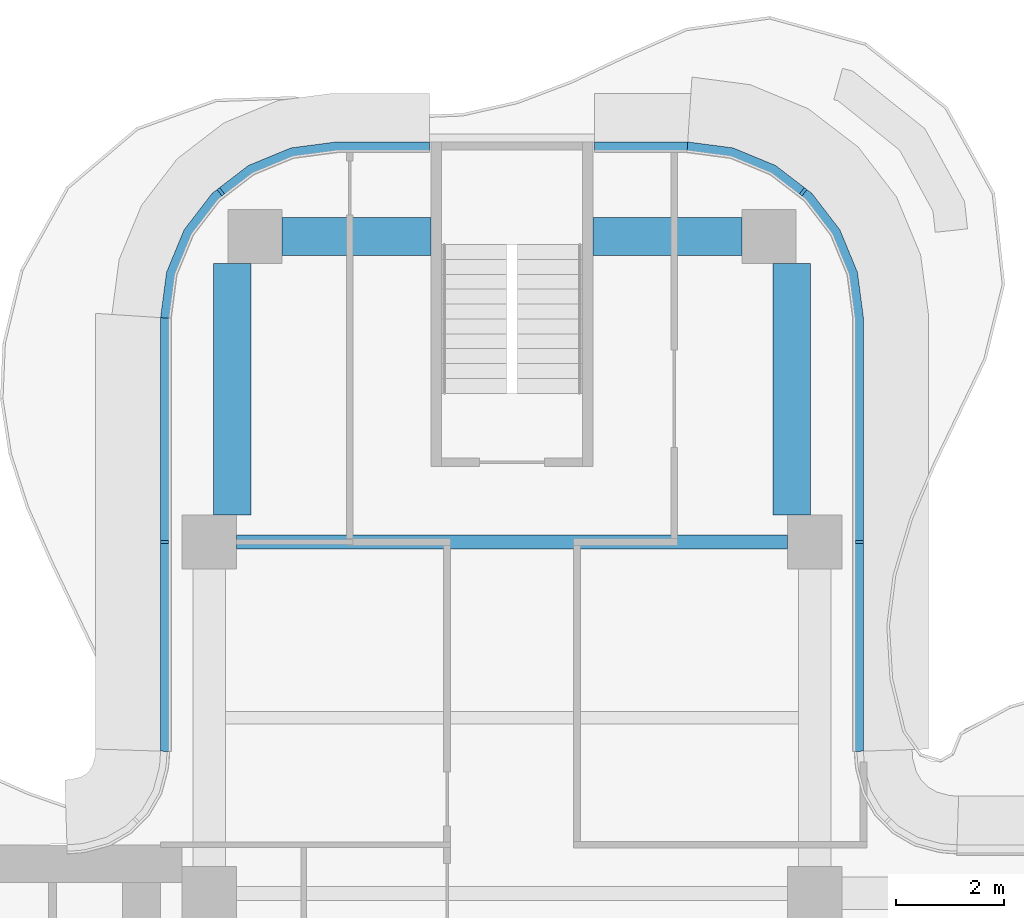
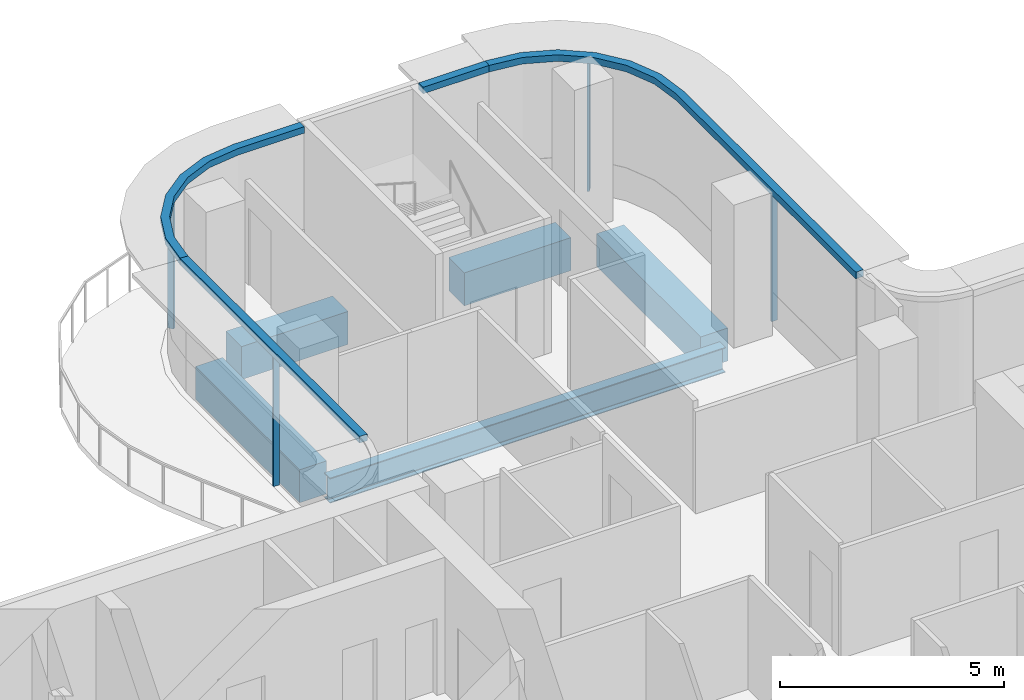
# One storey, part 7 of 16: 8 members, 5 beams, 4 elements without a shape of their own.
"""IFC4 building model written with IfcOpenShell, lengths in metres."""

from ifc_helpers import new_model, si_unit, direction, frame, origin, origin_2d, place, context, subcontext, project, spatial, polyline, rectangle, i_section, outline, extrude, source, transform, mapped, material, layer, layer_set, material_profile, profile_set, type_object, element, aggregate, save


model = new_model("IFC4")

# Units and contexts
model_context = context("Model", 3, precision=1e-05, world=origin(), true_north=direction((0.0, 1.0)))
body_context = subcontext(model_context, "Body", "Model", "MODEL_VIEW")
ifc_project = project(units=[si_unit("LENGTHUNIT", "METRE"), si_unit("AREAUNIT", "SQUARE_METRE"), si_unit("VOLUMEUNIT", "CUBIC_METRE"), si_unit("PLANEANGLEUNIT", "RADIAN"), si_unit("MASSUNIT", "GRAM", prefix="KILO")], contexts=[model_context])

# Site, building, storey
site_placement = place(None, origin())
site = spatial("IfcSite", under=ifc_project, at=site_placement, CompositionType="ELEMENT")
building_placement = place(site_placement, origin())
building = spatial("IfcBuilding", under=site, at=building_placement, Name="Trellis Farm Tower", CompositionType="ELEMENT")
storey_placement = place(building_placement, frame((0.0, 0.0, 310.60009765625)))
storey = spatial("IfcBuildingStorey", under=building, at=storey_placement, Name="L70", CompositionType="ELEMENT", Elevation=310.60009765625)

# Beams
ifc_material_1 = material(Name="Steel S355", Category="steel")
ifc_material_profile_1 = material_profile(ifc_material_1, i_section(OverallWidth=0.253662109375, OverallDepth=0.68359375, WebThickness=0.012451171875, FlangeThickness=0.021728515625, FilletRadius=0.01513671875, at=origin_2d()), Name="UB 686x254x140")
ifc_profile_set_1 = profile_set([ifc_material_profile_1], Name="Steel S355")
beam_type_1 = type_object("IfcBeamType", Name="UB 686x254x140", PredefinedType="BEAM", material=ifc_profile_set_1)
shared_shape_1 = source(origin(), body_context, "Body", "SweptSolid", [
    extrude(i_section(OverallWidth=0.253662109375, OverallDepth=0.68359375, WebThickness=0.012451171875, FlangeThickness=0.021728515625, FilletRadius=0.01513671875, at=origin_2d()), origin(), (0.0, 0.0, 1.0), 10.2001953125),
])
beam_placement = place(storey_placement, frame((-5.10009765625, 12.10009765625, -0.541748046875), z_axis=(1.0, 0.0, 0.0), x_axis=(0.0, 1.0, 0.0)))
element("IfcBeam", 1, at=beam_placement, inside=storey, type_object=beam_type_1, Name="Girder", PredefinedType="BEAM", context=body_context, shape_type="MappedRepresentation", body=[
    mapped(shared_shape_1, transform((0.0, 0.0, 0.0))),
])
ifc_material_2 = material(Name="Concrete C60/75", Category="concrete")
ifc_material_profile_2 = material_profile(ifc_material_2, rectangle(XDim=0.699951171875, YDim=0.89990234375, at=origin_2d()), Name="RC spandrel beam 700x900 C60/75")
ifc_profile_set_2 = profile_set([ifc_material_profile_2], Name="Concrete C60/75")
beam_type_2 = type_object("IfcBeamType", Name="RC spandrel beam 700x900 C60/75", PredefinedType="SPANDREL", material=ifc_profile_set_2)
shared_shape_2 = source(origin(), body_context, "Body", "SweptSolid", [
    extrude(rectangle(XDim=0.699951171875, YDim=0.89990234375, at=origin_2d()), origin(), (0.0, 0.0, 1.0), 4.64990234375),
])
for number, where, z_axis, x_axis, name in (
    (2, (-5.175048828125, 12.60009765625, -0.650146484375), (0.0, 1.0, 0.0), (-1.0, 0.0, 0.0), "Girder"),
    (3, (5.175048828125, 12.60009765625, -0.650146484375), (0.0, 1.0, 0.0), (-1.0, 0.0, 0.0), "Girder"),
):
    element("IfcBeam", number, at=place(storey_placement, frame(where, z_axis=z_axis, x_axis=x_axis)), inside=storey, type_object=beam_type_2, Name=name, PredefinedType="SPANDREL", context=body_context, shape_type="MappedRepresentation", body=[
        mapped(shared_shape_2, transform((0.0, 0.0, 0.0))),
    ])
shared_shape_3 = source(origin(), body_context, "Body", "SweptSolid", [
    extrude(rectangle(XDim=0.699951171875, YDim=0.89990234375, at=origin_2d()), origin(), (0.0, 0.0, 1.0), 2.75),
])
for number, where, z_axis, x_axis, name in (
    (4, (-4.25, 17.75, -0.650146484375), (1.0, 0.0, 0.0), (0.0, 1.0, 0.0), "Girder"),
    (5, (1.5, 17.75, -0.650146484375), (1.0, 0.0, 0.0), (0.0, 1.0, 0.0), "Girder"),
):
    element("IfcBeam", number, at=place(storey_placement, frame(where, z_axis=z_axis, x_axis=x_axis)), inside=storey, type_object=beam_type_2, Name=name, PredefinedType="SPANDREL", context=body_context, shape_type="MappedRepresentation", body=[
        mapped(shared_shape_3, transform((0.0, 0.0, 0.0))),
    ])

# Curtain wall, members
ifc_material_3 = material(Name="Aluminium and glass curtain wall", Category="aluminium")
ifc_layer_1 = layer(ifc_material_3, 0.18994140625)
ifc_layer_set_1 = layer_set([ifc_layer_1], Name="RIBBON CURTAIN WALL CW1")
curtain_wall_type = type_object("IfcCurtainWallType", Name="RIBBON CURTAIN WALL CW1", PredefinedType="NOTDEFINED", material=ifc_layer_set_1)
placement_1 = place(storey_placement, origin())
curtain_wall_1 = element("IfcCurtainWall", 6, at=placement_1, inside=storey, type_object=curtain_wall_type, Name="CW1 009", PredefinedType="NOTDEFINED")
ifc_material_4 = material(Name="Aluminium extrusion 6063-T6", Category="aluminium")
ifc_material_profile_3 = material_profile(ifc_material_4, rectangle(XDim=0.06005859375, YDim=0.14990234375, at=origin_2d()), Name="MULLION 60x150")
ifc_profile_set_3 = profile_set([ifc_material_profile_3], Name="Aluminium extrusion 6063-T6")
member_type_1 = type_object("IfcMemberType", Name="CW1 MULLION 60x150", PredefinedType="MULLION", material=ifc_profile_set_3)
shared_shape_4 = source(origin(), body_context, "Body", "SweptSolid", [
    extrude(rectangle(XDim=0.06005859375, YDim=0.14990234375, at=origin_2d()), origin(), (0.0, 0.0, 1.0), 3.52001953125),
])
member_1_placement = place(storey_placement, frame((6.425048828125, 12.10009765625, 0.0), z_axis=(0.0, 0.0, 1.0), x_axis=(0.0, 1.0, 0.0)))
member_1 = element("IfcMember", 7, at=member_1_placement, type_object=member_type_1, Name="MU1 009-01", PredefinedType="MULLION", context=body_context, shape_type="MappedRepresentation", body=[
    mapped(shared_shape_4, transform((0.0, 0.0, 0.0))),
])
member_2_placement = place(storey_placement, frame((5.385498046875, 18.578369140625, 0.0), z_axis=(0.0, 0.0, 1.0), x_axis=(-0.793353340291, 0.608761429009, 0.0)))
member_2 = element("IfcMember", 8, at=member_2_placement, type_object=member_type_1, Name="MU1 009-02", PredefinedType="MULLION", context=body_context, shape_type="MappedRepresentation", body=[
    mapped(shared_shape_4, transform((0.0, 0.0, 0.0))),
])

# Curtain wall, member
curtain_wall_2 = element("IfcCurtainWall", 9, at=placement_1, inside=storey, type_object=curtain_wall_type, Name="CW1 011", PredefinedType="NOTDEFINED")
member_3_placement = place(storey_placement, frame((-5.385498046875, 18.578369140625, 0.0), z_axis=(0.0, 0.0, 1.0), x_axis=(-0.793353340291, -0.608761429009, 0.0)))
member_3 = element("IfcMember", 10, at=member_3_placement, type_object=member_type_1, Name="MU1 011-01", PredefinedType="MULLION", context=body_context, shape_type="MappedRepresentation", body=[
    mapped(shared_shape_4, transform((0.0, 0.0, 0.0))),
])

curtain_wall_3 = element("IfcCurtainWall", 11, at=placement_1, inside=storey, type_object=curtain_wall_type, Name="CW1 012", PredefinedType="NOTDEFINED")
member_4_placement = place(storey_placement, frame((-6.425048828125, 12.10009765625, 0.0), z_axis=(0.0, 0.0, 1.0), x_axis=(0.0, -1.0, 0.0)))
member_4 = element("IfcMember", 12, at=member_4_placement, type_object=member_type_1, Name="MU1 012-01", PredefinedType="MULLION", context=body_context, shape_type="MappedRepresentation", body=[
    mapped(shared_shape_4, transform((0.0, 0.0, 0.0))),
])

# Member
ifc_layer_2 = layer(ifc_material_4, 0.199951171875)
ifc_layer_set_2 = layer_set([ifc_layer_2], Name="Aluminium extrusion 6063-T6")
member_type_2 = type_object("IfcMemberType", Name="CW1 TRANSOM 200x180", PredefinedType="USERDEFINED", material=ifc_layer_set_2)
shared_shape_5 = source(origin(), body_context, "Body", "SweptSolid", [
    extrude(outline(polyline([(6.5, 8.2314453125), (6.5, 16.25), (6.38916015625, 17.091064453125), (6.064697265625, 17.875), (5.548095703125, 18.548095703125), (4.875, 19.064697265625), (4.091064453125, 19.38916015625), (3.25, 19.5), (3.23681640625, 19.300048828125), (4.0390625, 19.1943359375), (4.774169921875, 18.889892578125), (5.405517578125, 18.405517578125), (5.889892578125, 17.774169921875), (6.1943359375, 17.0390625), (6.300048828125, 16.23681640625), (6.300048828125, 8.224853515625), (6.5, 8.2314453125)])), origin(), (0.0, 0.0, 1.0), 0.179931640625),
])
placement_2 = place(storey_placement, frame((0.0, 0.0, 3.52001953125)))
member_5 = element("IfcMember", 13, at=placement_2, type_object=member_type_2, Name="TR1 009", ObjectType="TRANSOM", PredefinedType="USERDEFINED", context=body_context, shape_type="MappedRepresentation", body=[
    mapped(shared_shape_5, transform((0.0, 0.0, 0.0))),
])

aggregate(curtain_wall_1, [member_1, member_2, member_5])

# Curtain wall, member
curtain_wall_4 = element("IfcCurtainWall", 14, at=placement_1, inside=storey, type_object=curtain_wall_type, Name="CW1 010", PredefinedType="NOTDEFINED")
shared_shape_6 = source(origin(), body_context, "Body", "SweptSolid", [
    extrude(outline(polyline([(3.25, 19.5), (1.530029296875, 19.5), (1.530029296875, 19.300048828125), (3.23681640625, 19.300048828125), (3.25, 19.5)])), origin(), (0.0, 0.0, 1.0), 0.179931640625),
])
member_6 = element("IfcMember", 15, at=placement_2, type_object=member_type_2, Name="TR1 010", ObjectType="TRANSOM", PredefinedType="USERDEFINED", context=body_context, shape_type="MappedRepresentation", body=[
    mapped(shared_shape_6, transform((0.0, 0.0, 0.0))),
])
aggregate(curtain_wall_4, [member_6])

# Member
shared_shape_7 = source(origin(), body_context, "Body", "SweptSolid", [
    extrude(outline(polyline([(-6.5, 16.25), (-6.5, 8.2314453125), (-6.300048828125, 8.224853515625), (-6.300048828125, 16.23681640625), (-6.5, 16.25)])), origin(), (0.0, 0.0, 1.0), 0.179931640625),
])
member_7 = element("IfcMember", 16, at=placement_2, type_object=member_type_2, Name="TR1 012", ObjectType="TRANSOM", PredefinedType="USERDEFINED", context=body_context, shape_type="MappedRepresentation", body=[
    mapped(shared_shape_7, transform((0.0, 0.0, 0.0))),
])

aggregate(curtain_wall_3, [member_4, member_7])

shared_shape_8 = source(origin(), body_context, "Body", "SweptSolid", [
    extrude(outline(polyline([(-1.530029296875, 19.5), (-3.25, 19.5), (-4.091064453125, 19.38916015625), (-4.875, 19.064697265625), (-5.548095703125, 18.548095703125), (-6.064697265625, 17.875), (-6.38916015625, 17.091064453125), (-6.5, 16.25), (-6.300048828125, 16.23681640625), (-6.1943359375, 17.0390625), (-5.889892578125, 17.774169921875), (-5.405517578125, 18.405517578125), (-4.774169921875, 18.889892578125), (-4.0390625, 19.1943359375), (-3.23681640625, 19.300048828125), (-1.530029296875, 19.300048828125), (-1.530029296875, 19.5)])), origin(), (0.0, 0.0, 1.0), 0.179931640625),
])
member_8 = element("IfcMember", 17, at=placement_2, type_object=member_type_2, Name="TR1 011", ObjectType="TRANSOM", PredefinedType="USERDEFINED", context=body_context, shape_type="MappedRepresentation", body=[
    mapped(shared_shape_8, transform((0.0, 0.0, 0.0))),
])

aggregate(curtain_wall_2, [member_3, member_8])

save(model, "model.ifc")
